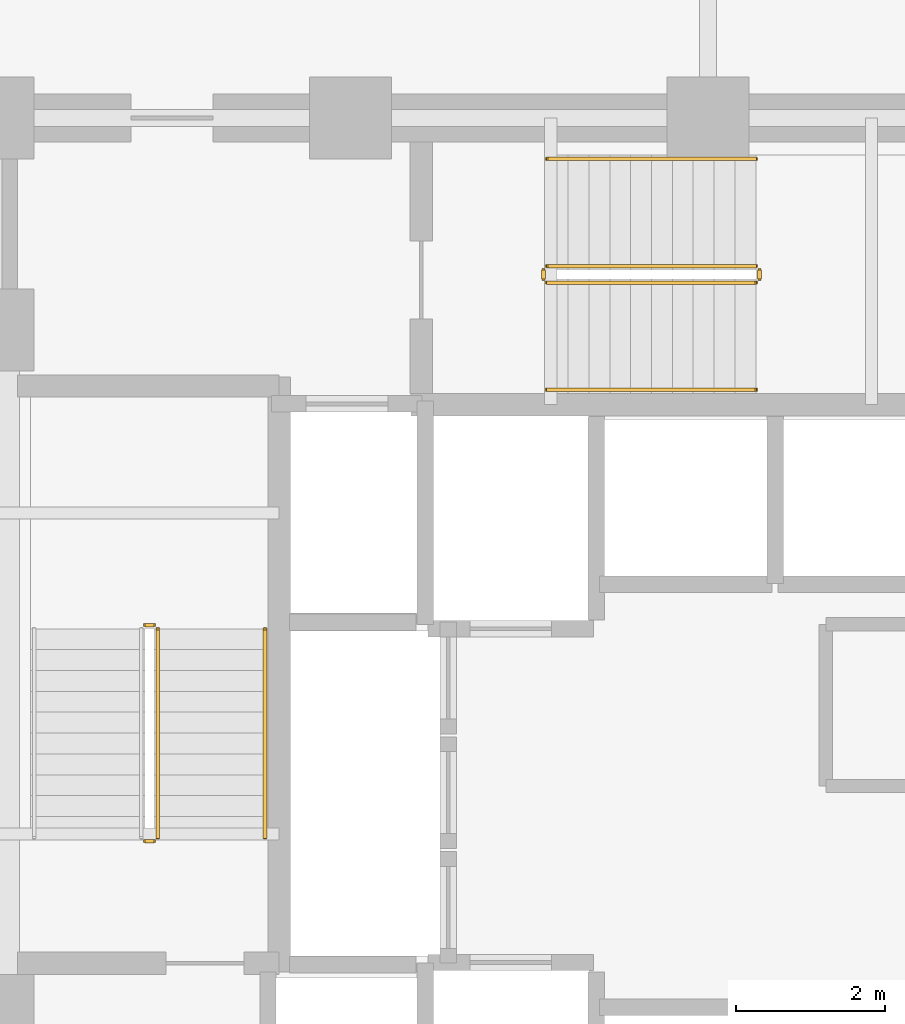
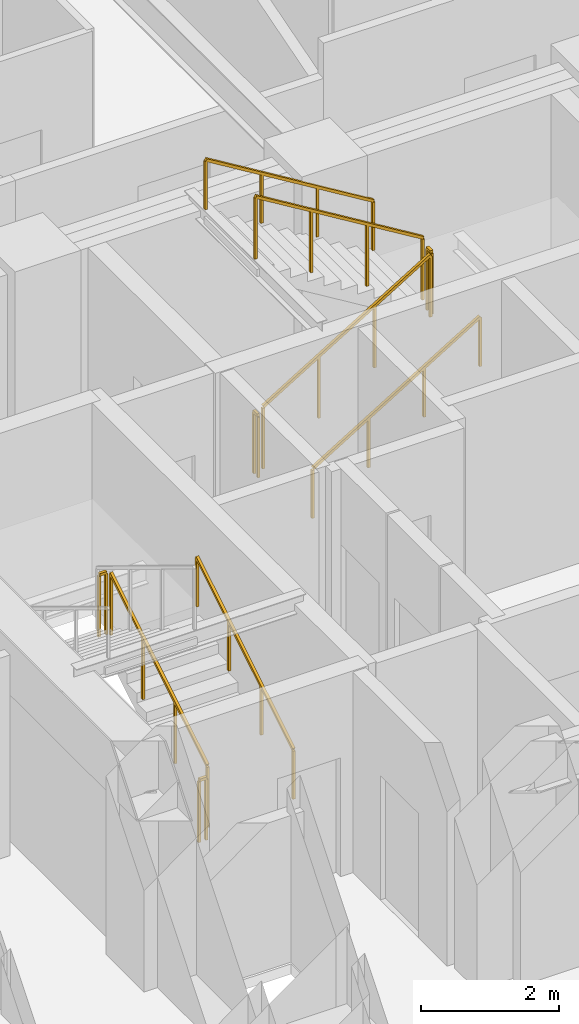
# One storey, part 27 of 30: 10 railings.
"""IFC4 building model written with IfcOpenShell, lengths in metres."""

from ifc_helpers import new_model, si_unit, direction, frame, origin, origin_2d, place, context, subcontext, project, spatial, rectangle, extrude, material, type_object, element, save


model = new_model("IFC4")

# Units and contexts
model_context = context("Model", 3, precision=1e-05, world=origin(), true_north=direction((0.0, 1.0)))
body_context = subcontext(model_context, "Body", "Model", "MODEL_VIEW")
ifc_project = project(units=[si_unit("LENGTHUNIT", "METRE"), si_unit("AREAUNIT", "SQUARE_METRE"), si_unit("VOLUMEUNIT", "CUBIC_METRE"), si_unit("PLANEANGLEUNIT", "RADIAN"), si_unit("MASSUNIT", "GRAM", prefix="KILO")], contexts=[model_context])

# Site, building, storey
site_placement = place(None, origin())
site = spatial("IfcSite", under=ifc_project, at=site_placement, CompositionType="ELEMENT")
building_placement = place(site_placement, origin())
building = spatial("IfcBuilding", under=site, at=building_placement, Name="Vantalir Tower", CompositionType="ELEMENT")
storey_placement = place(building_placement, frame((0.0, 0.0, 83.25)))
storey = spatial("IfcBuildingStorey", under=building, at=storey_placement, Name="L20", CompositionType="ELEMENT", Elevation=83.25)

# Railings
ifc_material_1 = material(Name="Anodised aluminium and stainless steel guard", Category="steel")
railing_type_1 = type_object("IfcRailingType", Name="RAL-GUARD-1120", PredefinedType="GUARDRAIL", material=ifc_material_1)
railing_1_placement = place(storey_placement, frame((24.110107421875, 22.7900390625, 0.17041015625)))
element("IfcRailing", 1, at=railing_1_placement, inside=storey, type_object=railing_type_1, Name="L20 ST1 stair guard 1", PredefinedType="GUARDRAIL", context=body_context, shape_type="SweptSolid", body=[
    extrude(rectangle(XDim=0.048095703125, YDim=0.048095703125, at=origin_2d()), frame((0.0, 0.0, 1.09619140625), z_axis=(0.0, 0.854169791009, 0.51999420009), x_axis=(-1.0, 0.0, 0.0)), (0.0, 0.0, 1.0), 3.278076171875),
    extrude(rectangle(XDim=0.0419921875, YDim=0.0419921875, at=origin_2d()), origin(), (0.0, 0.0, 1.0), 1.072021484375),
    extrude(rectangle(XDim=0.0419921875, YDim=0.0419921875, at=origin_2d()), frame((0.0, 0.933349609375, 0.568115234375)), (0.0, 0.0, 1.0), 1.072021484375),
    extrude(rectangle(XDim=0.0419921875, YDim=0.0419921875, at=origin_2d()), frame((0.0, 1.86669921875, 1.136474609375)), (0.0, 0.0, 1.0), 1.072021484375),
    extrude(rectangle(XDim=0.0419921875, YDim=0.0419921875, at=origin_2d()), frame((0.0, 2.800048828125, 1.70458984375)), (0.0, 0.0, 1.0), 1.072021484375),
])
for number, where, name in (
    (2, (24.06005859375, 25.639892578125, 1.875), "L20 ST1 stair guard 2"),
    (3, (24.06005859375, 22.739990234375, 0.0), "L20 ST1 stair guard 4"),
):
    element("IfcRailing", number, at=place(storey_placement, frame(where)), inside=storey, type_object=railing_type_1, Name=name, PredefinedType="GUARDRAIL", context=body_context, shape_type="SweptSolid", body=[
        extrude(rectangle(XDim=0.048095703125, YDim=0.048095703125, at=origin_2d()), frame((0.0, 0.0, 1.09619140625), z_axis=(-1.0, 0.0, 0.0), x_axis=(0.0, -1.0, 0.0)), (0.0, 0.0, 1.0), 0.1201171875),
        extrude(rectangle(XDim=0.0419921875, YDim=0.0419921875, at=origin_2d()), origin(), (0.0, 0.0, 1.0), 1.072021484375),
        extrude(rectangle(XDim=0.0419921875, YDim=0.0419921875, at=origin_2d()), frame((-0.1201171875, 0.0, 0.0)), (0.0, 0.0, 1.0), 1.072021484375),
    ])
railing_2_placement = place(storey_placement, frame((29.340087890625, 30.239990234375, 0.17041015625)))
element("IfcRailing", 4, at=railing_2_placement, inside=storey, type_object=railing_type_1, Name="L20 ST3 stair guard 1", PredefinedType="GUARDRAIL", context=body_context, shape_type="SweptSolid", body=[
    extrude(rectangle(XDim=0.048095703125, YDim=0.048095703125, at=origin_2d()), frame((0.0, 0.0, 1.09619140625), z_axis=(0.854149651119, 0.0, 0.520027281489), x_axis=(0.0, 1.0, 0.0)), (0.0, 0.0, 1.0), 3.27783203125),
    extrude(rectangle(XDim=0.0419921875, YDim=0.0419921875, at=origin_2d()), origin(), (0.0, 0.0, 1.0), 1.072021484375),
    extrude(rectangle(XDim=0.0419921875, YDim=0.0419921875, at=origin_2d()), frame((0.933349609375, 0.0, 0.568115234375)), (0.0, 0.0, 1.0), 1.072021484375),
    extrude(rectangle(XDim=0.0419921875, YDim=0.0419921875, at=origin_2d()), frame((1.866455078125, 0.0, 1.136474609375)), (0.0, 0.0, 1.0), 1.072021484375),
    extrude(rectangle(XDim=0.0419921875, YDim=0.0419921875, at=origin_2d()), frame((2.7998046875, 0.0, 1.70458984375)), (0.0, 0.0, 1.0), 1.072021484375),
])
railing_3_placement = place(storey_placement, frame((32.18994140625, 30.2900390625, 1.875)))
element("IfcRailing", 5, at=railing_3_placement, inside=storey, type_object=railing_type_1, Name="L20 ST3 stair guard 2", PredefinedType="GUARDRAIL", context=body_context, shape_type="SweptSolid", body=[
    extrude(rectangle(XDim=0.048095703125, YDim=0.048095703125, at=origin_2d()), frame((0.0, 0.0, 1.09619140625), z_axis=(0.0, 1.0, 0.0), x_axis=(-1.0, 0.0, 0.0)), (0.0, 0.0, 1.0), 0.119873046875),
    extrude(rectangle(XDim=0.0419921875, YDim=0.0419921875, at=origin_2d()), origin(), (0.0, 0.0, 1.0), 1.072021484375),
    extrude(rectangle(XDim=0.0419921875, YDim=0.0419921875, at=origin_2d()), frame((0.0, 0.119873046875, 0.0)), (0.0, 0.0, 1.0), 1.072021484375),
])
railing_4_placement = place(storey_placement, frame((32.139892578125, 30.4599609375, 2.04541015625)))
element("IfcRailing", 6, at=railing_4_placement, inside=storey, type_object=railing_type_1, Name="L20 ST3 stair guard 3", PredefinedType="GUARDRAIL", context=body_context, shape_type="SweptSolid", body=[
    extrude(rectangle(XDim=0.048095703125, YDim=0.048095703125, at=origin_2d()), frame((0.0, 0.0, 1.09619140625), z_axis=(-0.854149651119, 0.0, 0.520027281489), x_axis=(0.0, -1.0, 0.0)), (0.0, 0.0, 1.0), 3.27783203125),
    extrude(rectangle(XDim=0.0419921875, YDim=0.0419921875, at=origin_2d()), origin(), (0.0, 0.0, 1.0), 1.072021484375),
    extrude(rectangle(XDim=0.0419921875, YDim=0.0419921875, at=origin_2d()), frame((-0.933349609375, 0.0, 0.568115234375)), (0.0, 0.0, 1.0), 1.072021484375),
    extrude(rectangle(XDim=0.0419921875, YDim=0.0419921875, at=origin_2d()), frame((-1.866455078125, 0.0, 1.136474609375)), (0.0, 0.0, 1.0), 1.072021484375),
    extrude(rectangle(XDim=0.0419921875, YDim=0.0419921875, at=origin_2d()), frame((-2.7998046875, 0.0, 1.70458984375)), (0.0, 0.0, 1.0), 1.072021484375),
])
railing_5_placement = place(storey_placement, frame((29.2900390625, 30.2900390625, 0.0)))
element("IfcRailing", 7, at=railing_5_placement, inside=storey, type_object=railing_type_1, Name="L20 ST3 stair guard 4", PredefinedType="GUARDRAIL", context=body_context, shape_type="SweptSolid", body=[
    extrude(rectangle(XDim=0.048095703125, YDim=0.048095703125, at=origin_2d()), frame((0.0, 0.0, 1.09619140625), z_axis=(0.0, 1.0, 0.0), x_axis=(-1.0, 0.0, 0.0)), (0.0, 0.0, 1.0), 0.119873046875),
    extrude(rectangle(XDim=0.0419921875, YDim=0.0419921875, at=origin_2d()), origin(), (0.0, 0.0, 1.0), 1.072021484375),
    extrude(rectangle(XDim=0.0419921875, YDim=0.0419921875, at=origin_2d()), frame((0.0, 0.119873046875, 0.0)), (0.0, 0.0, 1.0), 1.072021484375),
])
ifc_material_2 = material(Name="Brushed stainless steel tubular handrail", Category="steel")
railing_type_2 = type_object("IfcRailingType", Name="RAL-HANDRAIL-900", PredefinedType="HANDRAIL", material=ifc_material_2)
railing_6_placement = place(storey_placement, frame((25.550048828125, 22.7900390625, 0.17041015625)))
element("IfcRailing", 8, at=railing_6_placement, inside=storey, type_object=railing_type_2, Name="L20 ST1 stair handrail 1", PredefinedType="HANDRAIL", context=body_context, shape_type="SweptSolid", body=[
    extrude(rectangle(XDim=0.048095703125, YDim=0.048095703125, at=origin_2d()), frame((0.0, 0.0, 0.8759765625), z_axis=(0.0, 0.854169791009, 0.51999420009), x_axis=(-1.0, 0.0, 0.0)), (0.0, 0.0, 1.0), 3.278076171875),
    extrude(rectangle(XDim=0.0419921875, YDim=0.0419921875, at=origin_2d()), origin(), (0.0, 0.0, 1.0), 0.851806640625),
    extrude(rectangle(XDim=0.0419921875, YDim=0.0419921875, at=origin_2d()), frame((0.0, 0.933349609375, 0.568115234375)), (0.0, 0.0, 1.0), 0.851806640625),
    extrude(rectangle(XDim=0.0419921875, YDim=0.0419921875, at=origin_2d()), frame((0.0, 1.86669921875, 1.136474609375)), (0.0, 0.0, 1.0), 0.851806640625),
    extrude(rectangle(XDim=0.0419921875, YDim=0.0419921875, at=origin_2d()), frame((0.0, 2.800048828125, 1.70458984375)), (0.0, 0.0, 1.0), 0.851806640625),
])
railing_7_placement = place(storey_placement, frame((29.340087890625, 28.800048828125, 0.17041015625)))
element("IfcRailing", 9, at=railing_7_placement, inside=storey, type_object=railing_type_2, Name="L20 ST3 stair handrail 1", PredefinedType="HANDRAIL", context=body_context, shape_type="SweptSolid", body=[
    extrude(rectangle(XDim=0.048095703125, YDim=0.048095703125, at=origin_2d()), frame((0.0, 0.0, 0.8759765625), z_axis=(0.854149651119, 0.0, 0.520027281489), x_axis=(0.0, 1.0, 0.0)), (0.0, 0.0, 1.0), 3.27783203125),
    extrude(rectangle(XDim=0.0419921875, YDim=0.0419921875, at=origin_2d()), origin(), (0.0, 0.0, 1.0), 0.851806640625),
    extrude(rectangle(XDim=0.0419921875, YDim=0.0419921875, at=origin_2d()), frame((0.933349609375, 0.0, 0.568115234375)), (0.0, 0.0, 1.0), 0.851806640625),
    extrude(rectangle(XDim=0.0419921875, YDim=0.0419921875, at=origin_2d()), frame((1.866455078125, 0.0, 1.136474609375)), (0.0, 0.0, 1.0), 0.851806640625),
    extrude(rectangle(XDim=0.0419921875, YDim=0.0419921875, at=origin_2d()), frame((2.7998046875, 0.0, 1.70458984375)), (0.0, 0.0, 1.0), 0.851806640625),
])
railing_8_placement = place(storey_placement, frame((32.139892578125, 31.89990234375, 2.04541015625)))
element("IfcRailing", 10, at=railing_8_placement, inside=storey, type_object=railing_type_2, Name="L20 ST3 stair handrail 2", PredefinedType="HANDRAIL", context=body_context, shape_type="SweptSolid", body=[
    extrude(rectangle(XDim=0.048095703125, YDim=0.048095703125, at=origin_2d()), frame((0.0, 0.0, 0.8759765625), z_axis=(-0.854149651119, 0.0, 0.520027281489), x_axis=(0.0, -1.0, 0.0)), (0.0, 0.0, 1.0), 3.27783203125),
    extrude(rectangle(XDim=0.0419921875, YDim=0.0419921875, at=origin_2d()), origin(), (0.0, 0.0, 1.0), 0.851806640625),
    extrude(rectangle(XDim=0.0419921875, YDim=0.0419921875, at=origin_2d()), frame((-0.933349609375, 0.0, 0.568115234375)), (0.0, 0.0, 1.0), 0.851806640625),
    extrude(rectangle(XDim=0.0419921875, YDim=0.0419921875, at=origin_2d()), frame((-1.866455078125, 0.0, 1.136474609375)), (0.0, 0.0, 1.0), 0.851806640625),
    extrude(rectangle(XDim=0.0419921875, YDim=0.0419921875, at=origin_2d()), frame((-2.7998046875, 0.0, 1.70458984375)), (0.0, 0.0, 1.0), 0.851806640625),
])

save(model, "model.ifc")
